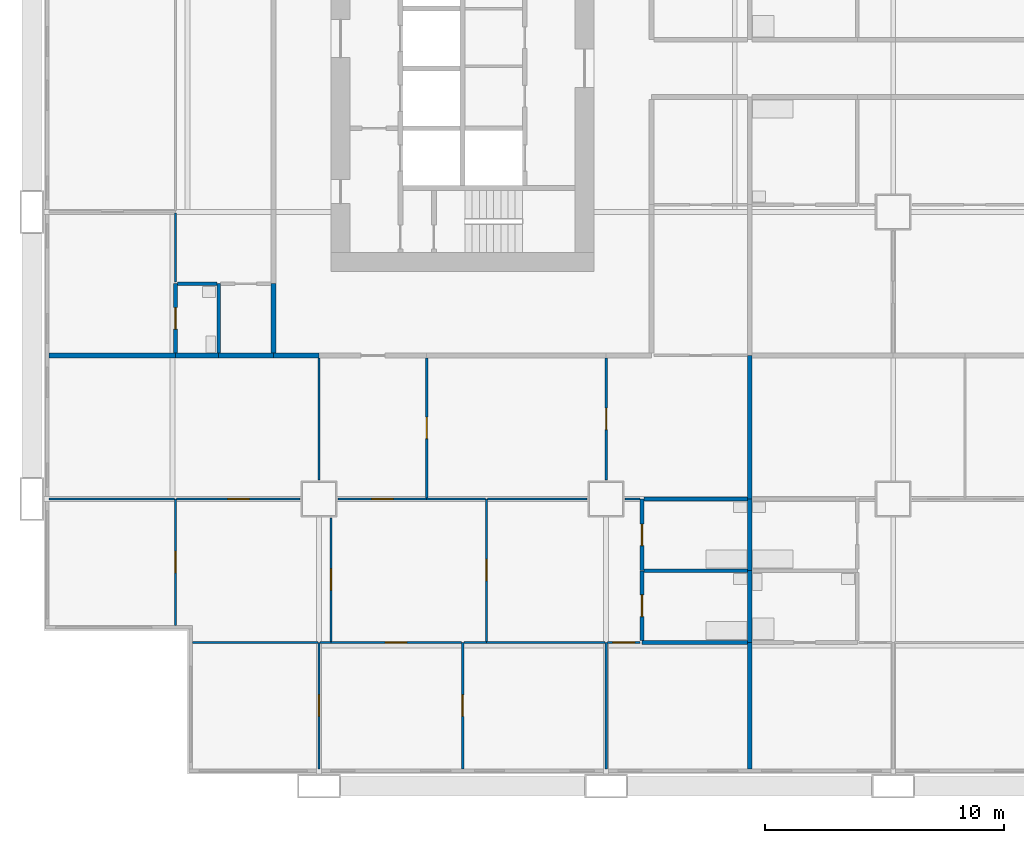
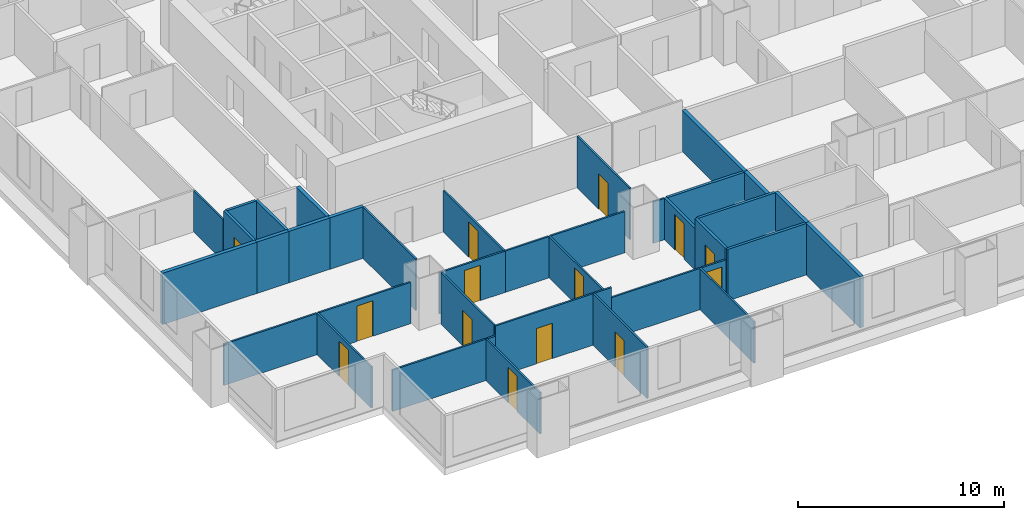
# One storey, part 2 of 14: 39 walls, 14 doors, 14 openings.
"""IFC4 building model written with IfcOpenShell, lengths in metres."""

from ifc_helpers import new_model, si_unit, direction, frame, frame_2d, origin, place, context, subcontext, project, spatial, rectangle, extrude, material, layer, layer_set, type_object, element, fill, save


model = new_model("IFC4")

# Units and contexts
model_context = context("Model", 3, precision=1e-05, world=origin(), true_north=direction((0.0, 1.0)))
body_context = subcontext(model_context, "Body", "Model", "MODEL_VIEW")
ifc_project = project(units=[si_unit("LENGTHUNIT", "METRE"), si_unit("AREAUNIT", "SQUARE_METRE"), si_unit("VOLUMEUNIT", "CUBIC_METRE"), si_unit("PLANEANGLEUNIT", "RADIAN"), si_unit("MASSUNIT", "GRAM", prefix="KILO")], contexts=[model_context])

# Site, building, storey
site_placement = place(None, origin())
site = spatial("IfcSite", under=ifc_project, at=site_placement, CompositionType="ELEMENT")
building_placement = place(site_placement, origin())
building = spatial("IfcBuilding", under=site, at=building_placement, Name="Kitamizu Gate Tower and Museum", CompositionType="ELEMENT")
storey_placement = place(building_placement, frame((0.0, 0.0, 43.800048828125)))
storey = spatial("IfcBuildingStorey", under=building, at=storey_placement, Name="L09", CompositionType="ELEMENT", Elevation=43.800048828125)

# Wall, opening, door
ifc_material_1 = material(Name="Gypsum board on galvanised stud")
ifc_layer_1 = layer(ifc_material_1, 0.10009765625)
ifc_layer_set_1 = layer_set([ifc_layer_1], Name="Gypsum board on galvanised stud")
wall_type_1 = type_object("IfcWallType", Name="Partition 100 NOT RATED", PredefinedType="PARTITIONING", material=ifc_layer_set_1)
wall_1_placement = place(storey_placement, frame((12.0, 0.719970703125, 0.0), z_axis=(0.0, 0.0, 1.0), x_axis=(0.0, 1.0, 0.0)))
wall_1 = element("IfcWall", 1, at=wall_1_placement, inside=storey, type_object=wall_type_1, Name="Partition L09-001", PredefinedType="PARTITIONING", context=body_context, shape_type="SweptSolid", body=[
    extrude(rectangle(XDim=5.280029296875, YDim=0.10009765625, at=frame_2d((2.64013671875, 0.0))), origin(), (0.0, 0.0, 1.0), 2.449951171875),
])
opening_1_placement = place(wall_1_placement, frame((2.18994140625, 0.0, 0.0)))
opening_1 = element("IfcOpeningElement", 2, at=opening_1_placement, cuts=wall_1, Name="Opening L09-006", PredefinedType="OPENING", context=body_context, shape_type="SweptSolid", body=[
    extrude(rectangle(XDim=0.89990234375, YDim=2.10009765625, at=frame_2d((0.449951171875, 1.050048828125))), frame((0.0, 0.06005859375, 0.0), z_axis=(0.0, -1.0, 0.0), x_axis=(1.0, 0.0, 0.0)), (0.0, 0.0, 1.0), 0.1201171875),
])
ifc_material_2 = material(Name="Timber door set", Category="wood")
door_type_1 = type_object("IfcDoorType", Name="Room door 900", OperationType="NOTDEFINED", PredefinedType="DOOR", material=ifc_material_2)
door_1_placement = place(opening_1_placement, origin())
door_1 = element("IfcDoor", 3, at=door_1_placement, inside=storey, type_object=door_type_1, Name="Door L09-006", OperationType="SINGLE_SWING_RIGHT", OverallHeight=2.10009765625, OverallWidth=0.89990234375, PredefinedType="DOOR", context=body_context, shape_type="SweptSolid", body=[
    extrude(rectangle(XDim=0.89990234375, YDim=2.10009765625, at=frame_2d((0.449951171875, 1.050048828125))), frame((0.0, 0.02490234375, 0.0), z_axis=(0.0, -1.0, 0.0), x_axis=(1.0, 0.0, 0.0)), (0.0, 0.0, 1.0), 0.050048828125),
])
fill(opening_1, door_1)

# Wall
wall_2_placement = place(storey_placement, frame((11.949951171875, 6.0, 0.0), z_axis=(0.0, 0.0, 1.0), x_axis=(-1.0, 0.0, 0.0)))
element("IfcWall", 4, at=wall_2_placement, inside=storey, type_object=wall_type_1, Name="Partition L09-002", PredefinedType="PARTITIONING", context=body_context, shape_type="SweptSolid", body=[
    extrude(rectangle(XDim=5.22998046875, YDim=0.10009765625, at=frame_2d((2.614990234375, 0.0))), origin(), (0.0, 0.0, 1.0), 2.449951171875),
])

# Wall, opening, door
wall_3_placement = place(storey_placement, frame((18.0, 0.719970703125, 0.0), z_axis=(0.0, 0.0, 1.0), x_axis=(0.0, 1.0, 0.0)))
wall_3 = element("IfcWall", 5, at=wall_3_placement, inside=storey, type_object=wall_type_1, Name="Partition L09-003", PredefinedType="PARTITIONING", context=body_context, shape_type="SweptSolid", body=[
    extrude(rectangle(XDim=5.280029296875, YDim=0.10009765625, at=frame_2d((2.64013671875, 0.0))), origin(), (0.0, 0.0, 1.0), 3.050048828125),
])
opening_2_placement = place(wall_3_placement, frame((2.18994140625, 0.0, 0.0)))
opening_2 = element("IfcOpeningElement", 6, at=opening_2_placement, cuts=wall_3, Name="Opening L09-007", PredefinedType="OPENING", context=body_context, shape_type="SweptSolid", body=[
    extrude(rectangle(XDim=0.89990234375, YDim=2.10009765625, at=frame_2d((0.449951171875, 1.050048828125))), frame((0.0, 0.06005859375, 0.0), z_axis=(0.0, -1.0, 0.0), x_axis=(1.0, 0.0, 0.0)), (0.0, 0.0, 1.0), 0.1201171875),
])
door_2_placement = place(opening_2_placement, origin())
door_2 = element("IfcDoor", 7, at=door_2_placement, inside=storey, type_object=door_type_1, Name="Door L09-007", OperationType="SINGLE_SWING_LEFT", OverallHeight=2.10009765625, OverallWidth=0.89990234375, PredefinedType="DOOR", context=body_context, shape_type="SweptSolid", body=[
    extrude(rectangle(XDim=0.89990234375, YDim=2.10009765625, at=frame_2d((0.449951171875, 1.050048828125))), frame((0.0, 0.02490234375, 0.0), z_axis=(0.0, -1.0, 0.0), x_axis=(1.0, 0.0, 0.0)), (0.0, 0.0, 1.0), 0.050048828125),
])
fill(opening_2, door_2)

# Wall
wall_4_placement = place(storey_placement, frame((12.5, 6.0, 0.0), z_axis=(0.0, 0.0, 1.0), x_axis=(-1.0, 0.0, 0.0)))
element("IfcWall", 8, at=wall_4_placement, inside=storey, type_object=wall_type_1, Name="Partition L09-004", PredefinedType="PARTITIONING", context=body_context, shape_type="SweptSolid", body=[
    extrude(rectangle(XDim=0.449951171875, YDim=0.10009765625, at=frame_2d((0.22509765625, 0.0))), origin(), (0.0, 0.0, 1.0), 2.449951171875),
])

# Wall, opening, door
wall_5_placement = place(storey_placement, frame((17.949951171875, 6.0, 0.0), z_axis=(0.0, 0.0, 1.0), x_axis=(-1.0, 0.0, 0.0)))
wall_5 = element("IfcWall", 9, at=wall_5_placement, inside=storey, type_object=wall_type_1, Name="Partition L09-005", PredefinedType="PARTITIONING", context=body_context, shape_type="SweptSolid", body=[
    extrude(rectangle(XDim=5.449951171875, YDim=0.10009765625, at=frame_2d((2.72509765625, 0.0))), origin(), (0.0, 0.0, 1.0), 3.050048828125),
])
opening_3_placement = place(wall_5_placement, frame((2.27490234375, 0.0, 0.0)))
opening_3 = element("IfcOpeningElement", 10, at=opening_3_placement, cuts=wall_5, Name="Opening L09-003", PredefinedType="OPENING", context=body_context, shape_type="SweptSolid", body=[
    extrude(rectangle(XDim=0.89990234375, YDim=2.10009765625, at=frame_2d((0.449951171875, 1.050048828125))), frame((0.0, 0.06005859375, 0.0), z_axis=(0.0, -1.0, 0.0), x_axis=(1.0, 0.0, 0.0)), (0.0, 0.0, 1.0), 0.1201171875),
])
door_3_placement = place(opening_3_placement, origin())
door_3 = element("IfcDoor", 11, at=door_3_placement, inside=storey, type_object=door_type_1, Name="Door L09-003", OperationType="SINGLE_SWING_LEFT", OverallHeight=2.10009765625, OverallWidth=0.89990234375, PredefinedType="DOOR", context=body_context, shape_type="SweptSolid", body=[
    extrude(rectangle(XDim=0.89990234375, YDim=2.10009765625, at=frame_2d((0.449951171875, 1.050048828125))), frame((0.0, 0.02490234375, 0.0), z_axis=(0.0, -1.0, 0.0), x_axis=(1.0, 0.0, 0.0)), (0.0, 0.0, 1.0), 0.050048828125),
])
fill(opening_3, door_3)

# Walls
wall_6_placement = place(storey_placement, frame((24.0, 0.719970703125, 0.0), z_axis=(0.0, 0.0, 1.0), x_axis=(0.0, 1.0, 0.0)))
element("IfcWall", 12, at=wall_6_placement, inside=storey, type_object=wall_type_1, Name="Partition L09-006", PredefinedType="PARTITIONING", context=body_context, shape_type="SweptSolid", body=[
    extrude(rectangle(XDim=5.280029296875, YDim=0.10009765625, at=frame_2d((2.64013671875, 0.0))), origin(), (0.0, 0.0, 1.0), 2.449951171875),
])
wall_7_placement = place(storey_placement, frame((19.0, 6.0, 0.0), z_axis=(0.0, 0.0, 1.0), x_axis=(-1.0, 0.0, 0.0)))
element("IfcWall", 13, at=wall_7_placement, inside=storey, type_object=wall_type_1, Name="Partition L09-007", PredefinedType="PARTITIONING", context=body_context, shape_type="SweptSolid", body=[
    extrude(rectangle(XDim=0.949951171875, YDim=0.10009765625, at=frame_2d((0.47509765625, 0.0))), origin(), (0.0, 0.0, 1.0), 3.050048828125),
])
wall_8_placement = place(storey_placement, frame((23.949951171875, 6.0, 0.0), z_axis=(0.0, 0.0, 1.0), x_axis=(-1.0, 0.0, 0.0)))
element("IfcWall", 14, at=wall_8_placement, inside=storey, type_object=wall_type_1, Name="Partition L09-008", PredefinedType="PARTITIONING", context=body_context, shape_type="SweptSolid", body=[
    extrude(rectangle(XDim=4.949951171875, YDim=0.10009765625, at=frame_2d((2.47509765625, 0.0))), origin(), (0.0, 0.0, 1.0), 2.449951171875),
])

# Wall, opening, door
wall_9_placement = place(storey_placement, frame((25.425048828125, 6.0, 0.0), z_axis=(0.0, 0.0, 1.0), x_axis=(-1.0, 0.0, 0.0)))
wall_9 = element("IfcWall", 15, at=wall_9_placement, inside=storey, type_object=wall_type_1, Name="Partition L09-009", PredefinedType="PARTITIONING", context=body_context, shape_type="SweptSolid", body=[
    extrude(rectangle(XDim=1.375, YDim=0.10009765625, at=frame_2d((0.6875, 0.0))), origin(), (0.0, 0.0, 1.0), 2.449951171875),
])
opening_4_placement = place(wall_9_placement, frame((0.237548828125, 0.0, 0.0)))
opening_4 = element("IfcOpeningElement", 16, at=opening_4_placement, cuts=wall_9, Name="Opening L09-008", PredefinedType="OPENING", context=body_context, shape_type="SweptSolid", body=[
    extrude(rectangle(XDim=0.89990234375, YDim=2.10009765625, at=frame_2d((0.449951171875, 1.050048828125))), frame((0.0, 0.06005859375, 0.0), z_axis=(0.0, -1.0, 0.0), x_axis=(1.0, 0.0, 0.0)), (0.0, 0.0, 1.0), 0.1201171875),
])
door_4_placement = place(opening_4_placement, origin())
door_4 = element("IfcDoor", 17, at=door_4_placement, inside=storey, type_object=door_type_1, Name="Door L09-008", OperationType="SINGLE_SWING_LEFT", OverallHeight=2.10009765625, OverallWidth=0.89990234375, PredefinedType="DOOR", context=body_context, shape_type="SweptSolid", body=[
    extrude(rectangle(XDim=0.89990234375, YDim=2.10009765625, at=frame_2d((0.449951171875, 1.050048828125))), frame((0.0, 0.02490234375, 0.0), z_axis=(0.0, -1.0, 0.0), x_axis=(1.0, 0.0, 0.0)), (0.0, 0.0, 1.0), 0.050048828125),
])
fill(opening_4, door_4)

wall_10_placement = place(storey_placement, frame((6.0, 6.719970703125, 0.0), z_axis=(0.0, 0.0, 1.0), x_axis=(0.0, 1.0, 0.0)))
wall_10 = element("IfcWall", 18, at=wall_10_placement, inside=storey, type_object=wall_type_1, Name="Partition L09-012", PredefinedType="PARTITIONING", context=body_context, shape_type="SweptSolid", body=[
    extrude(rectangle(XDim=5.280029296875, YDim=0.10009765625, at=frame_2d((2.64013671875, 0.0))), origin(), (0.0, 0.0, 1.0), 2.449951171875),
])
opening_5_placement = place(wall_10_placement, frame((2.18994140625, 0.0, 0.0)))
opening_5 = element("IfcOpeningElement", 19, at=opening_5_placement, cuts=wall_10, Name="Opening L09-009", PredefinedType="OPENING", context=body_context, shape_type="SweptSolid", body=[
    extrude(rectangle(XDim=0.89990234375, YDim=2.10009765625, at=frame_2d((0.449951171875, 1.050048828125))), frame((0.0, 0.06005859375, 0.0), z_axis=(0.0, -1.0, 0.0), x_axis=(1.0, 0.0, 0.0)), (0.0, 0.0, 1.0), 0.1201171875),
])
door_5_placement = place(opening_5_placement, origin())
door_5 = element("IfcDoor", 20, at=door_5_placement, inside=storey, type_object=door_type_1, Name="Door L09-009", OperationType="SINGLE_SWING_RIGHT", OverallHeight=2.10009765625, OverallWidth=0.89990234375, PredefinedType="DOOR", context=body_context, shape_type="SweptSolid", body=[
    extrude(rectangle(XDim=0.89990234375, YDim=2.10009765625, at=frame_2d((0.449951171875, 1.050048828125))), frame((0.0, 0.02490234375, 0.0), z_axis=(0.0, -1.0, 0.0), x_axis=(1.0, 0.0, 0.0)), (0.0, 0.0, 1.0), 0.050048828125),
])
fill(opening_5, door_5)

# Wall
wall_11_placement = place(storey_placement, frame((5.949951171875, 12.0, 0.0), z_axis=(0.0, 0.0, 1.0), x_axis=(-1.0, 0.0, 0.0)))
element("IfcWall", 21, at=wall_11_placement, inside=storey, type_object=wall_type_1, Name="Partition L09-013", PredefinedType="PARTITIONING", context=body_context, shape_type="SweptSolid", body=[
    extrude(rectangle(XDim=5.22998046875, YDim=0.10009765625, at=frame_2d((2.614990234375, 0.0))), origin(), (0.0, 0.0, 1.0), 2.449951171875),
])

# Wall, opening, door
wall_12_placement = place(storey_placement, frame((12.5, 6.050048828125, 0.0), z_axis=(0.0, 0.0, 1.0), x_axis=(0.0, 1.0, 0.0)))
wall_12 = element("IfcWall", 22, at=wall_12_placement, inside=storey, type_object=wall_type_1, Name="Partition L09-014", PredefinedType="PARTITIONING", context=body_context, shape_type="SweptSolid", body=[
    extrude(rectangle(XDim=5.14990234375, YDim=0.10009765625, at=frame_2d((2.574951171875, 0.0))), origin(), (0.0, 0.0, 1.0), 3.050048828125),
])
opening_6_placement = place(wall_12_placement, frame((2.125, 0.0, 0.0)))
opening_6 = element("IfcOpeningElement", 23, at=opening_6_placement, cuts=wall_12, Name="Opening L09-004", PredefinedType="OPENING", context=body_context, shape_type="SweptSolid", body=[
    extrude(rectangle(XDim=0.89990234375, YDim=2.10009765625, at=frame_2d((0.449951171875, 1.050048828125))), frame((0.0, 0.06005859375, 0.0), z_axis=(0.0, -1.0, 0.0), x_axis=(1.0, 0.0, 0.0)), (0.0, 0.0, 1.0), 0.1201171875),
])
door_6_placement = place(opening_6_placement, frame((0.89990234375, 0.0, 0.0), x_axis=(-1.0, 0.0, 0.0)))
door_6 = element("IfcDoor", 24, at=door_6_placement, inside=storey, type_object=door_type_1, Name="Door L09-004", OperationType="SINGLE_SWING_LEFT", OverallHeight=2.10009765625, OverallWidth=0.89990234375, PredefinedType="DOOR", context=body_context, shape_type="SweptSolid", body=[
    extrude(rectangle(XDim=0.89990234375, YDim=2.10009765625, at=frame_2d((0.449951171875, 1.050048828125))), frame((0.0, 0.02490234375, 0.0), z_axis=(0.0, -1.0, 0.0), x_axis=(1.0, 0.0, 0.0)), (0.0, 0.0, 1.0), 0.050048828125),
])
fill(opening_6, door_6)

wall_13_placement = place(storey_placement, frame((11.199951171875, 12.0, 0.0), z_axis=(0.0, 0.0, 1.0), x_axis=(-1.0, 0.0, 0.0)))
wall_13 = element("IfcWall", 25, at=wall_13_placement, inside=storey, type_object=wall_type_1, Name="Partition L09-015", PredefinedType="PARTITIONING", context=body_context, shape_type="SweptSolid", body=[
    extrude(rectangle(XDim=5.14990234375, YDim=0.10009765625, at=frame_2d((2.574951171875, 0.0))), origin(), (0.0, 0.0, 1.0), 2.449951171875),
])
opening_7_placement = place(wall_13_placement, frame((2.125, 0.0, 0.0)))
opening_7 = element("IfcOpeningElement", 26, at=opening_7_placement, cuts=wall_13, Name="Opening L09-012", PredefinedType="OPENING", context=body_context, shape_type="SweptSolid", body=[
    extrude(rectangle(XDim=0.89990234375, YDim=2.10009765625, at=frame_2d((0.449951171875, 1.050048828125))), frame((0.0, 0.06005859375, 0.0), z_axis=(0.0, -1.0, 0.0), x_axis=(1.0, 0.0, 0.0)), (0.0, 0.0, 1.0), 0.1201171875),
])
door_7_placement = place(opening_7_placement, frame((0.89990234375, 0.0, 0.0), x_axis=(-1.0, 0.0, 0.0)))
door_7 = element("IfcDoor", 27, at=door_7_placement, inside=storey, type_object=door_type_1, Name="Door L09-012", OperationType="SINGLE_SWING_RIGHT", OverallHeight=2.10009765625, OverallWidth=0.89990234375, PredefinedType="DOOR", context=body_context, shape_type="SweptSolid", body=[
    extrude(rectangle(XDim=0.89990234375, YDim=2.10009765625, at=frame_2d((0.449951171875, 1.050048828125))), frame((0.0, 0.02490234375, 0.0), z_axis=(0.0, -1.0, 0.0), x_axis=(1.0, 0.0, 0.0)), (0.0, 0.0, 1.0), 0.050048828125),
])
fill(opening_7, door_7)

wall_14_placement = place(storey_placement, frame((19.0, 6.050048828125, 0.0), z_axis=(0.0, 0.0, 1.0), x_axis=(0.0, 1.0, 0.0)))
wall_14 = element("IfcWall", 28, at=wall_14_placement, inside=storey, type_object=wall_type_1, Name="Partition L09-016", PredefinedType="PARTITIONING", context=body_context, shape_type="SweptSolid", body=[
    extrude(rectangle(XDim=5.949951171875, YDim=0.10009765625, at=frame_2d((2.97509765625, 0.0))), origin(), (0.0, 0.0, 1.0), 2.449951171875),
])
opening_8_placement = place(wall_14_placement, frame((2.52490234375, 0.0, 0.0)))
opening_8 = element("IfcOpeningElement", 29, at=opening_8_placement, cuts=wall_14, Name="Opening L09-005", PredefinedType="OPENING", context=body_context, shape_type="SweptSolid", body=[
    extrude(rectangle(XDim=0.89990234375, YDim=2.10009765625, at=frame_2d((0.449951171875, 1.050048828125))), frame((0.0, 0.06005859375, 0.0), z_axis=(0.0, -1.0, 0.0), x_axis=(1.0, 0.0, 0.0)), (0.0, 0.0, 1.0), 0.1201171875),
])
door_8_placement = place(opening_8_placement, frame((0.89990234375, 0.0, 0.0), x_axis=(-1.0, 0.0, 0.0)))
door_8 = element("IfcDoor", 30, at=door_8_placement, inside=storey, type_object=door_type_1, Name="Door L09-005", OperationType="SINGLE_SWING_RIGHT", OverallHeight=2.10009765625, OverallWidth=0.89990234375, PredefinedType="DOOR", context=body_context, shape_type="SweptSolid", body=[
    extrude(rectangle(XDim=0.89990234375, YDim=2.10009765625, at=frame_2d((0.449951171875, 1.050048828125))), frame((0.0, 0.02490234375, 0.0), z_axis=(0.0, -1.0, 0.0), x_axis=(1.0, 0.0, 0.0)), (0.0, 0.0, 1.0), 0.050048828125),
])
fill(opening_8, door_8)

wall_15_placement = place(storey_placement, frame((16.5, 12.0, 0.0), z_axis=(0.0, 0.0, 1.0), x_axis=(-1.0, 0.0, 0.0)))
wall_15 = element("IfcWall", 31, at=wall_15_placement, inside=storey, type_object=wall_type_1, Name="Partition L09-017", PredefinedType="PARTITIONING", context=body_context, shape_type="SweptSolid", body=[
    extrude(rectangle(XDim=3.699951171875, YDim=0.10009765625, at=frame_2d((1.85009765625, 0.0))), origin(), (0.0, 0.0, 1.0), 2.449951171875),
])
opening_9_placement = place(wall_15_placement, frame((1.39990234375, 0.0, 0.0)))
opening_9 = element("IfcOpeningElement", 32, at=opening_9_placement, cuts=wall_15, Name="Opening L09-002", PredefinedType="OPENING", context=body_context, shape_type="SweptSolid", body=[
    extrude(rectangle(XDim=0.89990234375, YDim=2.10009765625, at=frame_2d((0.449951171875, 1.050048828125))), frame((0.0, 0.06005859375, 0.0), z_axis=(0.0, -1.0, 0.0), x_axis=(1.0, 0.0, 0.0)), (0.0, 0.0, 1.0), 0.1201171875),
])
door_9_placement = place(opening_9_placement, origin())
door_9 = element("IfcDoor", 33, at=door_9_placement, inside=storey, type_object=door_type_1, Name="Door L09-002", OperationType="SINGLE_SWING_LEFT", OverallHeight=2.10009765625, OverallWidth=0.89990234375, PredefinedType="DOOR", context=body_context, shape_type="SweptSolid", body=[
    extrude(rectangle(XDim=0.89990234375, YDim=2.10009765625, at=frame_2d((0.449951171875, 1.050048828125))), frame((0.0, 0.02490234375, 0.0), z_axis=(0.0, -1.0, 0.0), x_axis=(1.0, 0.0, 0.0)), (0.0, 0.0, 1.0), 0.050048828125),
])
fill(opening_9, door_9)

# Walls
wall_16_placement = place(storey_placement, frame((18.949951171875, 12.0, 0.0), z_axis=(0.0, 0.0, 1.0), x_axis=(-1.0, 0.0, 0.0)))
element("IfcWall", 34, at=wall_16_placement, inside=storey, type_object=wall_type_1, Name="Partition L09-018", PredefinedType="PARTITIONING", context=body_context, shape_type="SweptSolid", body=[
    extrude(rectangle(XDim=2.449951171875, YDim=0.10009765625, at=frame_2d((1.22509765625, 0.0))), origin(), (0.0, 0.0, 1.0), 2.449951171875),
])
wall_17_placement = place(storey_placement, frame((23.199951171875, 12.0, 0.0), z_axis=(0.0, 0.0, 1.0), x_axis=(-1.0, 0.0, 0.0)))
element("IfcWall", 35, at=wall_17_placement, inside=storey, type_object=wall_type_1, Name="Partition L09-021", PredefinedType="PARTITIONING", context=body_context, shape_type="SweptSolid", body=[
    extrude(rectangle(XDim=4.14990234375, YDim=0.10009765625, at=frame_2d((2.074951171875, 0.0))), origin(), (0.0, 0.0, 1.0), 2.449951171875),
])
wall_18_placement = place(storey_placement, frame((25.425048828125, 12.0, 0.0), z_axis=(0.0, 0.0, 1.0), x_axis=(-1.0, 0.0, 0.0)))
element("IfcWall", 36, at=wall_18_placement, inside=storey, type_object=wall_type_1, Name="Partition L09-022", PredefinedType="PARTITIONING", context=body_context, shape_type="SweptSolid", body=[
    extrude(rectangle(XDim=0.625, YDim=0.10009765625, at=frame_2d((0.3125, 0.0))), origin(), (0.0, 0.0, 1.0), 2.449951171875),
])
wall_19_placement = place(storey_placement, frame((12.0, 12.800048828125, 0.0), z_axis=(0.0, 0.0, 1.0), x_axis=(0.0, 1.0, 0.0)))
element("IfcWall", 37, at=wall_19_placement, inside=storey, type_object=wall_type_1, Name="Partition L09-027", PredefinedType="PARTITIONING", context=body_context, shape_type="SweptSolid", body=[
    extrude(rectangle(XDim=5.099853515625, YDim=0.10009765625, at=frame_2d((2.5498046875, 0.0))), origin(), (0.0, 0.0, 1.0), 3.050048828125),
])

# Wall, opening, door
wall_20_placement = place(storey_placement, frame((16.5, 12.050048828125, 0.0), z_axis=(0.0, 0.0, 1.0), x_axis=(0.0, 1.0, 0.0)))
wall_20 = element("IfcWall", 38, at=wall_20_placement, inside=storey, type_object=wall_type_1, Name="Partition L09-032", PredefinedType="PARTITIONING", context=body_context, shape_type="SweptSolid", body=[
    extrude(rectangle(XDim=5.849853515625, YDim=0.10009765625, at=frame_2d((2.9248046875, 0.0))), origin(), (0.0, 0.0, 1.0), 2.449951171875),
])
opening_10_placement = place(wall_20_placement, frame((2.47509765625, 0.0, 0.0)))
opening_10 = element("IfcOpeningElement", 39, at=opening_10_placement, cuts=wall_20, Name="Opening L09-013", PredefinedType="OPENING", context=body_context, shape_type="SweptSolid", body=[
    extrude(rectangle(XDim=0.89990234375, YDim=2.10009765625, at=frame_2d((0.449951171875, 1.050048828125))), frame((0.0, 0.06005859375, 0.0), z_axis=(0.0, -1.0, 0.0), x_axis=(1.0, 0.0, 0.0)), (0.0, 0.0, 1.0), 0.1201171875),
])
door_10_placement = place(opening_10_placement, frame((0.89990234375, 0.0, 0.0), x_axis=(-1.0, 0.0, 0.0)))
door_10 = element("IfcDoor", 40, at=door_10_placement, inside=storey, type_object=door_type_1, Name="Door L09-013", OperationType="SINGLE_SWING_LEFT", OverallHeight=2.10009765625, OverallWidth=0.89990234375, PredefinedType="DOOR", context=body_context, shape_type="SweptSolid", body=[
    extrude(rectangle(XDim=0.89990234375, YDim=2.10009765625, at=frame_2d((0.449951171875, 1.050048828125))), frame((0.0, 0.02490234375, 0.0), z_axis=(0.0, -1.0, 0.0), x_axis=(1.0, 0.0, 0.0)), (0.0, 0.0, 1.0), 0.050048828125),
])
fill(opening_10, door_10)

wall_21_placement = place(storey_placement, frame((24.0, 12.800048828125, 0.0), z_axis=(0.0, 0.0, 1.0), x_axis=(0.0, 1.0, 0.0)))
wall_21 = element("IfcWall", 41, at=wall_21_placement, inside=storey, type_object=wall_type_1, Name="Partition L09-034", PredefinedType="PARTITIONING", context=body_context, shape_type="SweptSolid", body=[
    extrude(rectangle(XDim=5.099853515625, YDim=0.10009765625, at=frame_2d((2.5498046875, 0.0))), origin(), (0.0, 0.0, 1.0), 3.050048828125),
])
opening_11_placement = place(wall_21_placement, frame((2.10009765625, 0.0, 0.0)))
opening_11 = element("IfcOpeningElement", 42, at=opening_11_placement, cuts=wall_21, Name="Opening L09-014", PredefinedType="OPENING", context=body_context, shape_type="SweptSolid", body=[
    extrude(rectangle(XDim=0.89990234375, YDim=2.10009765625, at=frame_2d((0.449951171875, 1.050048828125))), frame((0.0, 0.06005859375, 0.0), z_axis=(0.0, -1.0, 0.0), x_axis=(1.0, 0.0, 0.0)), (0.0, 0.0, 1.0), 0.1201171875),
])
door_11_placement = place(opening_11_placement, frame((0.89990234375, 0.0, 0.0), x_axis=(-1.0, 0.0, 0.0)))
door_11 = element("IfcDoor", 43, at=door_11_placement, inside=storey, type_object=door_type_1, Name="Door L09-014", OperationType="SINGLE_SWING_RIGHT", OverallHeight=2.10009765625, OverallWidth=0.89990234375, PredefinedType="DOOR", context=body_context, shape_type="SweptSolid", body=[
    extrude(rectangle(XDim=0.89990234375, YDim=2.10009765625, at=frame_2d((0.449951171875, 1.050048828125))), frame((0.0, 0.02490234375, 0.0), z_axis=(0.0, -1.0, 0.0), x_axis=(1.0, 0.0, 0.0)), (0.0, 0.0, 1.0), 0.050048828125),
])
fill(opening_11, door_11)

# Walls
wall_22_placement = place(storey_placement, frame((6.0, 21.074951171875, 0.0), z_axis=(0.0, 0.0, 1.0), x_axis=(0.0, 1.0, 0.0)))
element("IfcWall", 44, at=wall_22_placement, inside=storey, type_object=wall_type_1, Name="Partition L09-136", PredefinedType="PARTITIONING", context=body_context, shape_type="SweptSolid", body=[
    extrude(rectangle(XDim=2.875, YDim=0.10009765625, at=frame_2d((1.4375, 0.0))), origin(), (0.0, 0.0, 1.0), 2.449951171875),
])
ifc_material_3 = material(Name="Gypsum board on galvanised stud")
ifc_layer_2 = layer(ifc_material_3, 0.14990234375)
ifc_layer_set_2 = layer_set([ifc_layer_2], Name="Gypsum board on galvanised stud")
wall_type_2 = type_object("IfcWallType", Name="Partition 150", PredefinedType="PARTITIONING", material=ifc_layer_set_2)
wall_23_placement = place(storey_placement, frame((29.89990234375, 6.0, 0.0), z_axis=(0.0, 0.0, 1.0), x_axis=(-1.0, 0.0, 0.0)))
element("IfcWall", 45, at=wall_23_placement, inside=storey, type_object=wall_type_2, Name="Partition L09-010", PredefinedType="PARTITIONING", context=body_context, shape_type="SweptSolid", body=[
    extrude(rectangle(XDim=4.39990234375, YDim=0.14990234375, at=frame_2d((2.199951171875, 0.0))), origin(), (0.0, 0.0, 1.0), 3.050048828125),
])

# Wall, opening, door
wall_24_placement = place(storey_placement, frame((25.5, 6.074951171875, 0.0), z_axis=(0.0, 0.0, 1.0), x_axis=(0.0, 1.0, 0.0)))
wall_24 = element("IfcWall", 46, at=wall_24_placement, inside=storey, type_object=wall_type_2, Name="Partition L09-019", PredefinedType="PARTITIONING", context=body_context, shape_type="SweptSolid", body=[
    extrude(rectangle(XDim=2.925048828125, YDim=0.14990234375, at=frame_2d((1.46240234375, 0.0))), origin(), (0.0, 0.0, 1.0), 3.050048828125),
])
opening_12_placement = place(wall_24_placement, frame((1.012451171875, 0.0, 0.0)))
opening_12 = element("IfcOpeningElement", 47, at=opening_12_placement, cuts=wall_24, Name="Opening L09-010", PredefinedType="OPENING", context=body_context, shape_type="SweptSolid", body=[
    extrude(rectangle(XDim=0.89990234375, YDim=2.10009765625, at=frame_2d((0.449951171875, 1.050048828125))), frame((0.0, 0.0849609375, 0.0), z_axis=(0.0, -1.0, 0.0), x_axis=(1.0, 0.0, 0.0)), (0.0, 0.0, 1.0), 0.169921875),
])
ifc_material_4 = material(Name="Timber door set", Category="wood")
door_type_2 = type_object("IfcDoorType", Name="Bathroom door 900", OperationType="NOTDEFINED", PredefinedType="DOOR", material=ifc_material_4)
door_12_placement = place(opening_12_placement, frame((0.89990234375, 0.0, 0.0), x_axis=(-1.0, 0.0, 0.0)))
door_12 = element("IfcDoor", 48, at=door_12_placement, inside=storey, type_object=door_type_2, Name="Bathroom door L09-010", OperationType="SINGLE_SWING_RIGHT", OverallHeight=2.10009765625, OverallWidth=0.89990234375, PredefinedType="DOOR", context=body_context, shape_type="SweptSolid", body=[
    extrude(rectangle(XDim=0.89990234375, YDim=2.10009765625, at=frame_2d((0.449951171875, 1.050048828125))), frame((0.0, 0.02490234375, 0.0), z_axis=(0.0, -1.0, 0.0), x_axis=(1.0, 0.0, 0.0)), (0.0, 0.0, 1.0), 0.050048828125),
])
fill(opening_12, door_12)

wall_25_placement = place(storey_placement, frame((25.5, 9.0, 0.0), z_axis=(0.0, 0.0, 1.0), x_axis=(0.0, 1.0, 0.0)))
wall_25 = element("IfcWall", 49, at=wall_25_placement, inside=storey, type_object=wall_type_2, Name="Partition L09-020", PredefinedType="PARTITIONING", context=body_context, shape_type="SweptSolid", body=[
    extrude(rectangle(XDim=3.0, YDim=0.14990234375, at=frame_2d((1.5, 0.0))), origin(), (0.0, 0.0, 1.0), 2.449951171875),
])
opening_13_placement = place(wall_25_placement, frame((1.050048828125, 0.0, 0.0)))
opening_13 = element("IfcOpeningElement", 50, at=opening_13_placement, cuts=wall_25, Name="Opening L09-011", PredefinedType="OPENING", context=body_context, shape_type="SweptSolid", body=[
    extrude(rectangle(XDim=0.89990234375, YDim=2.10009765625, at=frame_2d((0.449951171875, 1.050048828125))), frame((0.0, 0.0849609375, 0.0), z_axis=(0.0, -1.0, 0.0), x_axis=(1.0, 0.0, 0.0)), (0.0, 0.0, 1.0), 0.169921875),
])
door_13_placement = place(opening_13_placement, frame((0.89990234375, 0.0, 0.0), x_axis=(-1.0, 0.0, 0.0)))
door_13 = element("IfcDoor", 51, at=door_13_placement, inside=storey, type_object=door_type_2, Name="Bathroom door L09-011", OperationType="SINGLE_SWING_LEFT", OverallHeight=2.10009765625, OverallWidth=0.89990234375, PredefinedType="DOOR", context=body_context, shape_type="SweptSolid", body=[
    extrude(rectangle(XDim=0.89990234375, YDim=2.10009765625, at=frame_2d((0.449951171875, 1.050048828125))), frame((0.0, 0.02490234375, 0.0), z_axis=(0.0, -1.0, 0.0), x_axis=(1.0, 0.0, 0.0)), (0.0, 0.0, 1.0), 0.050048828125),
])
fill(opening_13, door_13)

# Walls
wall_26_placement = place(storey_placement, frame((29.89990234375, 9.0, 0.0), z_axis=(0.0, 0.0, 1.0), x_axis=(-1.0, 0.0, 0.0)))
element("IfcWall", 52, at=wall_26_placement, inside=storey, type_object=wall_type_2, Name="Partition L09-023", PredefinedType="PARTITIONING", context=body_context, shape_type="SweptSolid", body=[
    extrude(rectangle(XDim=4.324951171875, YDim=0.14990234375, at=frame_2d((2.16259765625, 0.0))), origin(), (0.0, 0.0, 1.0), 3.050048828125),
])
wall_27_placement = place(storey_placement, frame((29.89990234375, 12.0, 0.0), z_axis=(0.0, 0.0, 1.0), x_axis=(-1.0, 0.0, 0.0)))
element("IfcWall", 53, at=wall_27_placement, inside=storey, type_object=wall_type_2, Name="Partition L09-025", PredefinedType="PARTITIONING", context=body_context, shape_type="SweptSolid", body=[
    extrude(rectangle(XDim=4.324951171875, YDim=0.14990234375, at=frame_2d((2.16259765625, 0.0))), origin(), (0.0, 0.0, 1.0), 2.449951171875),
])

# Wall, opening, door
wall_28_placement = place(storey_placement, frame((6.0, 18.10009765625, 0.0), z_axis=(0.0, 0.0, 1.0), x_axis=(0.0, 1.0, 0.0)))
wall_28 = element("IfcWall", 54, at=wall_28_placement, inside=storey, type_object=wall_type_2, Name="Partition L09-135", PredefinedType="PARTITIONING", context=body_context, shape_type="SweptSolid", body=[
    extrude(rectangle(XDim=2.89990234375, YDim=0.14990234375, at=frame_2d((1.449951171875, 0.0))), origin(), (0.0, 0.0, 1.0), 3.050048828125),
])
opening_14_placement = place(wall_28_placement, frame((1.0, 0.0, 0.0)))
opening_14 = element("IfcOpeningElement", 55, at=opening_14_placement, cuts=wall_28, Name="Opening L09-052", PredefinedType="OPENING", context=body_context, shape_type="SweptSolid", body=[
    extrude(rectangle(XDim=0.89990234375, YDim=2.10009765625, at=frame_2d((0.449951171875, 1.050048828125))), frame((0.0, 0.0849609375, 0.0), z_axis=(0.0, -1.0, 0.0), x_axis=(1.0, 0.0, 0.0)), (0.0, 0.0, 1.0), 0.169921875),
])
door_14_placement = place(opening_14_placement, frame((0.89990234375, 0.0, 0.0), x_axis=(-1.0, 0.0, 0.0)))
door_14 = element("IfcDoor", 56, at=door_14_placement, inside=storey, type_object=door_type_2, Name="Bathroom door L09-052", OperationType="SINGLE_SWING_LEFT", OverallHeight=2.10009765625, OverallWidth=0.89990234375, PredefinedType="DOOR", context=body_context, shape_type="SweptSolid", body=[
    extrude(rectangle(XDim=0.89990234375, YDim=2.10009765625, at=frame_2d((0.449951171875, 1.050048828125))), frame((0.0, 0.02490234375, 0.0), z_axis=(0.0, -1.0, 0.0), x_axis=(1.0, 0.0, 0.0)), (0.0, 0.0, 1.0), 0.050048828125),
])
fill(opening_14, door_14)

# Walls
wall_29_placement = place(storey_placement, frame((7.800048828125, 18.10009765625, 0.0), z_axis=(0.0, 0.0, 1.0), x_axis=(0.0, 1.0, 0.0)))
element("IfcWall", 57, at=wall_29_placement, inside=storey, type_object=wall_type_2, Name="Partition L09-142", PredefinedType="PARTITIONING", context=body_context, shape_type="SweptSolid", body=[
    extrude(rectangle(XDim=2.89990234375, YDim=0.14990234375, at=frame_2d((1.449951171875, 0.0))), origin(), (0.0, 0.0, 1.0), 3.050048828125),
])
wall_30_placement = place(storey_placement, frame((7.72509765625, 21.0, 0.0), z_axis=(0.0, 0.0, 1.0), x_axis=(-1.0, 0.0, 0.0)))
element("IfcWall", 58, at=wall_30_placement, inside=storey, type_object=wall_type_2, Name="Partition L09-143", PredefinedType="PARTITIONING", context=body_context, shape_type="SweptSolid", body=[
    extrude(rectangle(XDim=1.650146484375, YDim=0.14990234375, at=frame_2d((0.8251953125, 0.0))), origin(), (0.0, 0.0, 1.0), 3.050048828125),
])
ifc_material_5 = material(Name="Gypsum board on galvanised stud")
ifc_layer_3 = layer(ifc_material_5, 0.199951171875)
ifc_layer_set_3 = layer_set([ifc_layer_3], Name="Gypsum board on galvanised stud")
wall_type_3 = type_object("IfcWallType", Name="Partition 200", PredefinedType="PARTITIONING", material=ifc_layer_set_3)
wall_31_placement = place(storey_placement, frame((30.0, 0.719970703125, 0.0), z_axis=(0.0, 0.0, 1.0), x_axis=(0.0, 1.0, 0.0)))
element("IfcWall", 59, at=wall_31_placement, inside=storey, type_object=wall_type_3, Name="Partition L09-011", PredefinedType="PARTITIONING", context=body_context, shape_type="SweptSolid", body=[
    extrude(rectangle(XDim=5.280029296875, YDim=0.199951171875, at=frame_2d((2.64013671875, 0.0))), origin(), (0.0, 0.0, 1.0), 3.050048828125),
])
wall_32_placement = place(storey_placement, frame((30.0, 6.0, 0.0), z_axis=(0.0, 0.0, 1.0), x_axis=(0.0, 1.0, 0.0)))
element("IfcWall", 60, at=wall_32_placement, inside=storey, type_object=wall_type_3, Name="Partition L09-024", PredefinedType="PARTITIONING", context=body_context, shape_type="SweptSolid", body=[
    extrude(rectangle(XDim=3.0, YDim=0.199951171875, at=frame_2d((1.5, 0.0))), origin(), (0.0, 0.0, 1.0), 3.050048828125),
])
wall_33_placement = place(storey_placement, frame((30.0, 9.0, 0.0), z_axis=(0.0, 0.0, 1.0), x_axis=(0.0, 1.0, 0.0)))
element("IfcWall", 61, at=wall_33_placement, inside=storey, type_object=wall_type_3, Name="Partition L09-026", PredefinedType="PARTITIONING", context=body_context, shape_type="SweptSolid", body=[
    extrude(rectangle(XDim=3.0, YDim=0.199951171875, at=frame_2d((1.5, 0.0))), origin(), (0.0, 0.0, 1.0), 2.449951171875),
])
wall_34_placement = place(storey_placement, frame((6.0, 18.0, 0.0), z_axis=(0.0, 0.0, 1.0), x_axis=(-1.0, 0.0, 0.0)))
element("IfcWall", 62, at=wall_34_placement, inside=storey, type_object=wall_type_3, Name="Partition L09-028", PredefinedType="PARTITIONING", context=body_context, shape_type="SweptSolid", body=[
    extrude(rectangle(XDim=5.280029296875, YDim=0.199951171875, at=frame_2d((2.64013671875, 0.0))), origin(), (0.0, 0.0, 1.0), 3.050048828125),
])
wall_35_placement = place(storey_placement, frame((7.800048828125, 18.0, 0.0), z_axis=(0.0, 0.0, 1.0), x_axis=(-1.0, 0.0, 0.0)))
element("IfcWall", 63, at=wall_35_placement, inside=storey, type_object=wall_type_3, Name="Partition L09-029", PredefinedType="PARTITIONING", context=body_context, shape_type="SweptSolid", body=[
    extrude(rectangle(XDim=1.800048828125, YDim=0.199951171875, at=frame_2d((0.89990234375, 0.0))), origin(), (0.0, 0.0, 1.0), 3.050048828125),
])
wall_36_placement = place(storey_placement, frame((10.10009765625, 18.0, 0.0), z_axis=(0.0, 0.0, 1.0), x_axis=(-1.0, 0.0, 0.0)))
element("IfcWall", 64, at=wall_36_placement, inside=storey, type_object=wall_type_3, Name="Partition L09-030", PredefinedType="PARTITIONING", context=body_context, shape_type="SweptSolid", body=[
    extrude(rectangle(XDim=2.300048828125, YDim=0.199951171875, at=frame_2d((1.14990234375, 0.0))), origin(), (0.0, 0.0, 1.0), 3.050048828125),
])
wall_37_placement = place(storey_placement, frame((12.0, 18.0, 0.0), z_axis=(0.0, 0.0, 1.0), x_axis=(-1.0, 0.0, 0.0)))
element("IfcWall", 65, at=wall_37_placement, inside=storey, type_object=wall_type_3, Name="Partition L09-031", PredefinedType="PARTITIONING", context=body_context, shape_type="SweptSolid", body=[
    extrude(rectangle(XDim=1.89990234375, YDim=0.199951171875, at=frame_2d((0.949951171875, 0.0))), origin(), (0.0, 0.0, 1.0), 3.050048828125),
])
wall_38_placement = place(storey_placement, frame((30.0, 12.0, 0.0), z_axis=(0.0, 0.0, 1.0), x_axis=(0.0, 1.0, 0.0)))
element("IfcWall", 66, at=wall_38_placement, inside=storey, type_object=wall_type_3, Name="Partition L09-037", PredefinedType="PARTITIONING", context=body_context, shape_type="SweptSolid", body=[
    extrude(rectangle(XDim=6.0, YDim=0.199951171875, at=frame_2d((3.0, 0.0))), origin(), (0.0, 0.0, 1.0), 2.449951171875),
])
wall_39_placement = place(storey_placement, frame((10.10009765625, 18.10009765625, 0.0), z_axis=(0.0, 0.0, 1.0), x_axis=(0.0, 1.0, 0.0)))
element("IfcWall", 67, at=wall_39_placement, inside=storey, type_object=wall_type_3, Name="Partition L09-145", PredefinedType="PARTITIONING", context=body_context, shape_type="SweptSolid", body=[
    extrude(rectangle(XDim=2.89990234375, YDim=0.199951171875, at=frame_2d((1.449951171875, 0.0))), origin(), (0.0, 0.0, 1.0), 3.050048828125),
])

save(model, "model.ifc")
